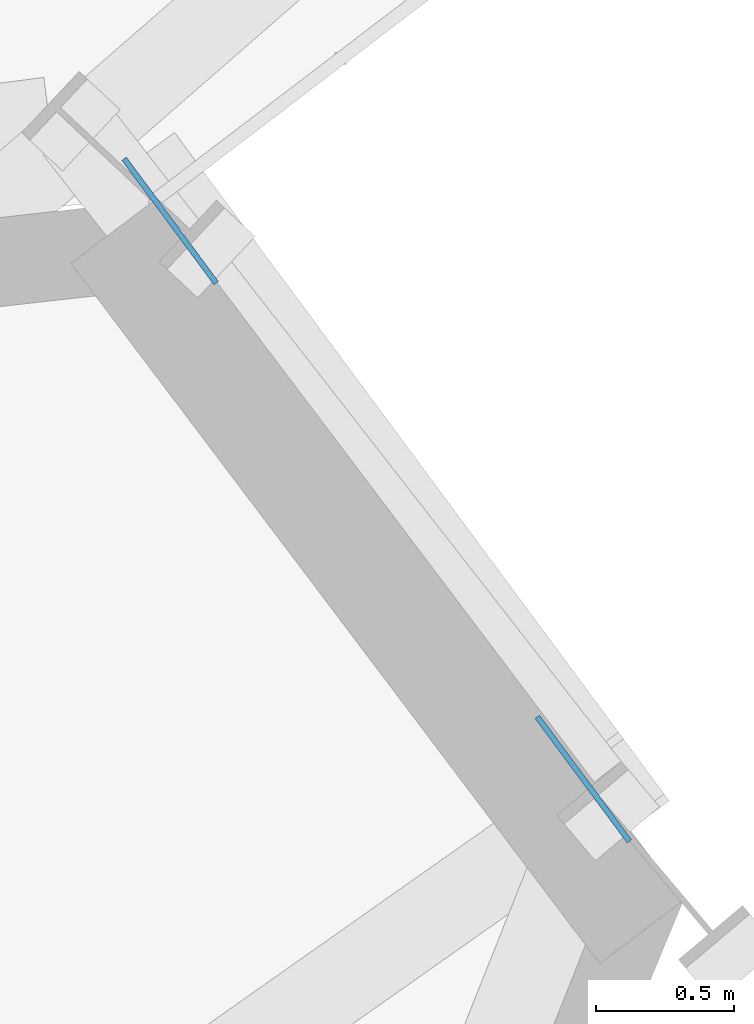
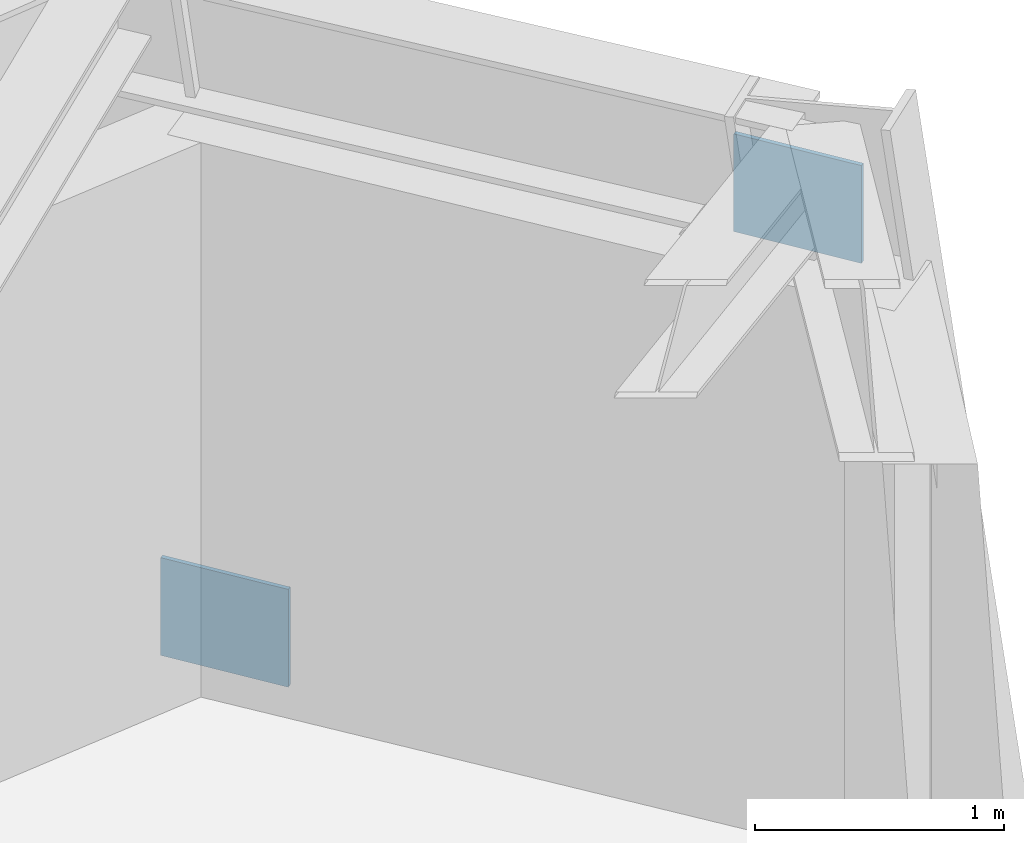
# One storey, part 7 of 14: 2 plates.
"""IFC4 building model written with IfcOpenShell, lengths in metres."""

import ifcopenshell
import ifcopenshell.guid

model = None  # the IFC model being written
_history = None  # IfcOwnerHistory: only IFC2X3 demands one
_inside = {}  # id of a spatial element -> (the spatial element, [elements in it])
_under = {}  # id of a project, library or spatial element -> (it, [spatial elements below it])
_declared = {}  # id of a project -> (the project, [libraries it declares])
_typed = {}  # id of a type object -> (the type object, [elements of that type])
_made_of = {}  # id of a material, layer set ... -> (it, [elements and type objects made of it])


def new_model(schema):
    """Start an empty IFC model of exactly this schema.

    Asked for "IFC4X3", IfcOpenShell would pick the latest addendum, in which some entities
    have other attributes; the version numbers below select the first issue.
    IFC2X3 requires an IfcOwnerHistory on every rooted entity: one is made here for all.
    """
    global model, _history
    if schema == "IFC4X3":
        model = ifcopenshell.file(schema_version=(4, 3, 0, 0))
    else:
        model = ifcopenshell.file(schema=schema)
    _inside.clear()
    _under.clear()
    _declared.clear()
    _typed.clear()
    _made_of.clear()
    _history = None
    if model.schema == "IFC2X3":
        org = make("IfcOrganization", Name="unknown")
        user = make(
            "IfcPersonAndOrganization",
            ThePerson=make("IfcPerson", FamilyName="unknown"),
            TheOrganization=org,
        )
        app = make(
            "IfcApplication",
            ApplicationDeveloper=org,
            Version="unknown",
            ApplicationFullName="unknown",
            ApplicationIdentifier="unknown",
        )
        _history = make(
            "IfcOwnerHistory",
            OwningUser=user,
            OwningApplication=app,
            ChangeAction="ADDED",
            CreationDate=0,
        )
    return model


def make(cls, **values):
    """One entity of the class cls with the attributes given. An attribute that is None is left unset."""
    return model.create_entity(
        cls, **{name: value for name, value in values.items() if value is not None}
    )


def rooted(cls, **values):
    """An entity with a GlobalId (a new one), such as an element, a storey or a relation."""
    return make(cls, GlobalId=ifcopenshell.guid.new(), OwnerHistory=_history, **values)


def si_unit(unit_type, name, prefix=None):
    """IfcSIUnit, for example si_unit("LENGTHUNIT", "METRE", prefix="MILLI")."""
    return make("IfcSIUnit", UnitType=unit_type, Prefix=prefix, Name=name)


def assignment(units):
    """IfcUnitAssignment: the units of a project."""
    return None if units is None else make("IfcUnitAssignment", Units=units)


def point(xyz):
    """IfcCartesianPoint."""
    return None if xyz is None else make("IfcCartesianPoint", Coordinates=xyz)


def direction(xyz):
    """IfcDirection."""
    return None if xyz is None else make("IfcDirection", DirectionRatios=xyz)


def frame(location, z_axis=None, x_axis=None):
    """IfcAxis2Placement3D, a coordinate frame: its origin and axes. An axis left out is left unset."""
    return make(
        "IfcAxis2Placement3D",
        Location=point(location),
        Axis=direction(z_axis),
        RefDirection=direction(x_axis),
    )


def frame_2d(location, x_axis=None):
    """IfcAxis2Placement2D, a coordinate frame in the plane: its origin and x axis."""
    return make(
        "IfcAxis2Placement2D", Location=point(location), RefDirection=direction(x_axis)
    )


def origin():
    """The frame at (0, 0, 0) with its axes left unset."""
    return frame((0.0, 0.0, 0.0))


def origin_2d():
    """The frame at (0, 0) in the plane with its x axis left unset."""
    return frame_2d((0.0, 0.0))


def place(relative_to, where):
    """IfcLocalPlacement: puts the frame where relative to a parent placement (None: the world)."""
    return make(
        "IfcLocalPlacement", PlacementRelTo=relative_to, RelativePlacement=where
    )


def context(
    kind, dimensions, precision=None, world=None, true_north=None, identifier=None
):
    """IfcGeometricRepresentationContext, for example the 3D "Model" context."""
    return make(
        "IfcGeometricRepresentationContext",
        ContextIdentifier=identifier,
        ContextType=kind,
        CoordinateSpaceDimension=dimensions,
        Precision=precision,
        WorldCoordinateSystem=world,
        TrueNorth=true_north,
    )


def subcontext(parent, identifier, kind, view, scale=None):
    """IfcGeometricRepresentationSubContext, for example "Body" below "Model"."""
    return make(
        "IfcGeometricRepresentationSubContext",
        ContextIdentifier=identifier,
        ContextType=kind,
        ParentContext=parent,
        TargetScale=scale,
        TargetView=view,
    )


def project(units=None, contexts=None):
    """IfcProject with its units and contexts."""
    return rooted(
        "IfcProject",
        Name="project",
        RepresentationContexts=contexts,
        UnitsInContext=assignment(units),
    )


def spatial(cls, under=None, at=None, **own):
    """A site, building, storey or space (cls), placed at a placement, below another one or the project."""
    s = rooted(cls, ObjectPlacement=at, **own)
    if under is not None:
        _under.setdefault(under.id(), (under, []))[1].append(s)
    return s


def profile(cls, at=None, kind="AREA", **sizes):
    """A parametric profile (cls). Its sizes go by their IFC names, for example OverallWidth=200.0."""
    return make(cls, ProfileType=kind, Position=at, **sizes)


def rectangle(**sizes):
    """IfcRectangleProfileDef."""
    return profile("IfcRectangleProfileDef", **sizes)


def extrude(swept, where, along, depth):
    """IfcExtrudedAreaSolid: the profile swept, set in the frame where, extruded along a direction by depth."""
    return make(
        "IfcExtrudedAreaSolid",
        SweptArea=swept,
        Position=where,
        ExtrudedDirection=direction(along),
        Depth=depth,
    )


def shape(context_of_items, identifier, shape_type, items):
    """IfcShapeRepresentation: the items that make up one representation, for example the "Body"."""
    return make(
        "IfcShapeRepresentation",
        ContextOfItems=context_of_items,
        RepresentationIdentifier=identifier,
        RepresentationType=shape_type,
        Items=items,
    )


def source(mapping_origin, context_of_items, identifier, shape_type, items):
    """IfcRepresentationMap: a shape defined once, which mapped items show again and again."""
    return make(
        "IfcRepresentationMap",
        MappingOrigin=mapping_origin,
        MappedRepresentation=shape(context_of_items, identifier, shape_type, items),
    )


def transform(
    local_origin,
    x_axis=None,
    y_axis=None,
    z_axis=None,
    scale=None,
    scale2=None,
    scale3=None,
    uniform=True,
):
    """IfcCartesianTransformationOperator3D, or its non-uniform kind. x_axis, y_axis, z_axis: its Axis1, 2, 3."""
    if uniform:
        return make(
            "IfcCartesianTransformationOperator3D",
            Axis1=direction(x_axis),
            Axis2=direction(y_axis),
            LocalOrigin=point(local_origin),
            Scale=scale,
            Axis3=direction(z_axis),
        )
    return make(
        "IfcCartesianTransformationOperator3DnonUniform",
        Axis1=direction(x_axis),
        Axis2=direction(y_axis),
        LocalOrigin=point(local_origin),
        Scale=scale,
        Axis3=direction(z_axis),
        Scale2=scale2,
        Scale3=scale3,
    )


def mapped(mapping_source, mapping_target):
    """IfcMappedItem: shows the shape of a source again, moved by a transform."""
    return make(
        "IfcMappedItem", MappingSource=mapping_source, MappingTarget=mapping_target
    )


def material(Name=None, Category=None):
    """IfcMaterial."""
    return make("IfcMaterial", Name=Name, Category=Category)


def made_of(thing, what):
    """Note that an element or type object is made of a material, layer set ...; save() writes the relation."""
    if what is not None:
        _made_of.setdefault(what.id(), (what, []))[1].append(thing)
    return thing


def type_object(cls, material=None, **own):
    """A type object (cls), such as IfcWallType, which elements share."""
    return made_of(rooted(cls, **own), material)


def element(
    cls,
    number,
    at=None,
    inside=None,
    cuts=None,
    type_object=None,
    material=None,
    context=None,
    identifier="Body",
    shape_type=None,
    held_by="IfcProductDefinitionShape",
    body=None,
    shapes=None,
    **own,
):
    """One element of the class cls, such as IfcWall. Its Tag is "e" and its number.

    at: its placement. inside: the storey or other place that contains it. cuts: it is an
    opening in that element (IfcRelVoidsElement). A single representation is given by context,
    identifier, shape_type and body (its items); several are given by shapes. held_by: the class
    of the entity that holds the representations. save() writes the other relations.
    """
    e = rooted(cls, Tag="e%d" % number, ObjectPlacement=at, **own)
    if body is not None:
        shapes = [shape(context, identifier, shape_type, body)]
    if shapes is not None:
        e.Representation = make(held_by, Representations=shapes)
    if inside is not None:
        _inside.setdefault(inside.id(), (inside, []))[1].append(e)
    if cuts is not None:
        rooted(
            "IfcRelVoidsElement", RelatingBuildingElement=cuts, RelatedOpeningElement=e
        )
    if type_object is not None:
        _typed.setdefault(type_object.id(), (type_object, []))[1].append(e)
    return made_of(e, material)


def aggregate(whole, parts):
    """IfcRelAggregates: a whole, such as a stair, and the parts it consists of."""
    return rooted("IfcRelAggregates", RelatingObject=whole, RelatedObjects=parts)


def save(model, path):
    """Write the relations noted so far, then the file.

    IfcRelAggregates (storeys below a building ...), IfcRelContainedInSpatialStructure (elements
    in a storey), IfcRelDefinesByType, IfcRelAssociatesMaterial and IfcRelDeclares: one each for
    every whole, place, type object, material and project.
    """
    for whole, parts in _under.values():
        aggregate(whole, parts)
    for where, things in _inside.values():
        rooted(
            "IfcRelContainedInSpatialStructure",
            RelatedElements=things,
            RelatingStructure=where,
        )
    for kind, things in _typed.values():
        rooted("IfcRelDefinesByType", RelatedObjects=things, RelatingType=kind)
    for what, things in _made_of.values():
        rooted("IfcRelAssociatesMaterial", RelatedObjects=things, RelatingMaterial=what)
    for by, libraries in _declared.values():
        rooted("IfcRelDeclares", RelatingContext=by, RelatedDefinitions=libraries)
    model.write(path)


model = new_model("IFC4")

# Units and contexts
model_context = context("Model", 3, precision=1e-05, world=origin(), true_north=direction((0.0, 1.0)))
body_context = subcontext(model_context, "Body", "Model", "MODEL_VIEW")
ifc_project = project(units=[si_unit("LENGTHUNIT", "METRE"), si_unit("AREAUNIT", "SQUARE_METRE"), si_unit("VOLUMEUNIT", "CUBIC_METRE"), si_unit("PLANEANGLEUNIT", "RADIAN"), si_unit("MASSUNIT", "GRAM", prefix="KILO")], contexts=[model_context])

# Site, building, storey
site_placement = place(None, origin())
site = spatial("IfcSite", under=ifc_project, at=site_placement, CompositionType="ELEMENT")
building_placement = place(site_placement, origin())
building = spatial("IfcBuilding", under=site, at=building_placement, Name="Olszyna Solenne Hotel", CompositionType="ELEMENT")
storey_placement = place(building_placement, frame((0.0, 0.0, 185.64990234375)))
storey = spatial("IfcBuildingStorey", under=building, at=storey_placement, Name="L49", CompositionType="ELEMENT", Elevation=185.64990234375)

# Plates
ifc_material = material(Name="Steel S355J2", Category="steel")
plate_type = type_object("IfcPlateType", Name="GP-ND2", PredefinedType="USERDEFINED", material=ifc_material)
shared_shape = source(origin(), body_context, "Body", "SweptSolid", [
    extrude(rectangle(XDim=0.56005859375, YDim=0.02001953125, at=origin_2d()), origin(), (0.0, 0.0, 1.0), 0.47998046875),
])
for number, where, z_axis, x_axis, name in (
    (1, (60.220947265625, 45.441162109375, -0.1259765625), (0.0, 0.0, 1.0), (0.59496307718, -0.803753032213, 0.0), "Brace end connection gusset plate GP-ND2 EP-BR-L49-1-1"),
    (2, (61.71630859375, 43.421142578125, 2.65625), (0.0, 0.0, 1.0), (0.59496307718, -0.803753032213, 0.0), "Brace end connection gusset plate GP-ND2 EP-BR-L49-1-2"),
):
    element("IfcPlate", number, at=place(storey_placement, frame(where, z_axis=z_axis, x_axis=x_axis)), inside=storey, type_object=plate_type, Name=name, ObjectType="GUSSET_PLATE", PredefinedType="USERDEFINED", context=body_context, shape_type="MappedRepresentation", body=[
        mapped(shared_shape, transform((0.0, 0.0, 0.0), x_axis=(1.0, 0.0, 0.0), y_axis=(0.0, 1.0, 0.0), z_axis=(0.0, 0.0, 1.0), scale=1.0)),
    ])

save(model, "model.ifc")
